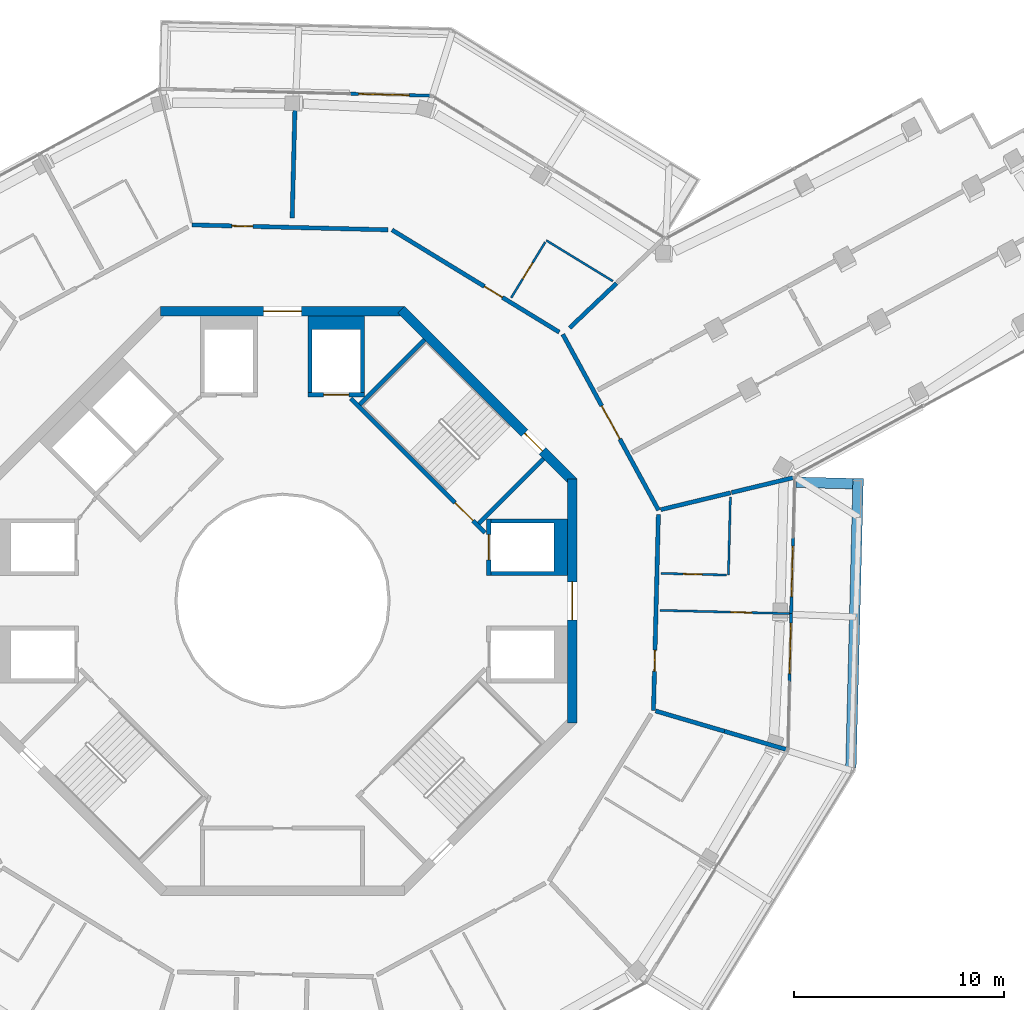
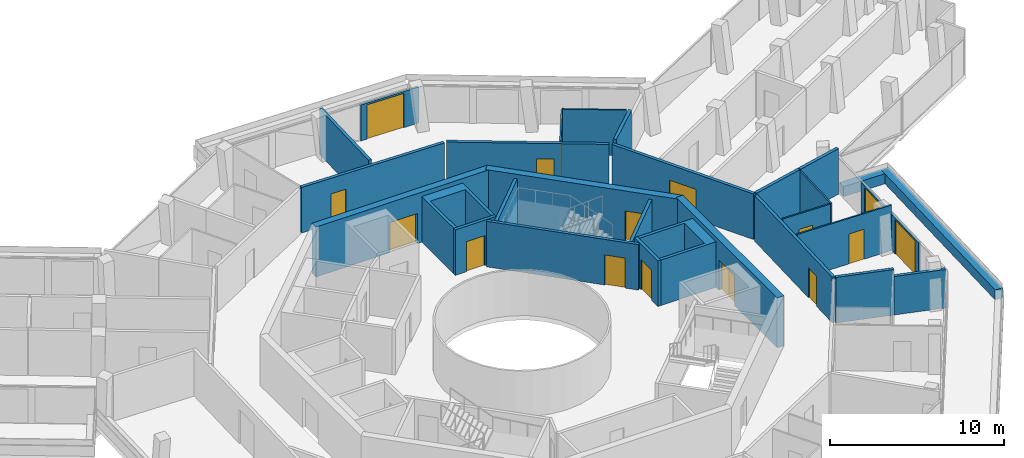
# One storey, part 20 of 24: 30 walls, 16 doors, 16 openings.
"""IFC4 building model written with IfcOpenShell, lengths in metres."""

from ifc_helpers import new_model, si_unit, direction, frame, frame_2d, origin, place, context, subcontext, project, spatial, polyline, rectangle, outline, extrude, material, layer, layer_set, type_object, element, fill, save


model = new_model("IFC4")

# Units and contexts
model_context = context("Model", 3, precision=1e-05, world=origin(), true_north=direction((0.0, 1.0)))
body_context = subcontext(model_context, "Body", "Model", "MODEL_VIEW")
ifc_project = project(units=[si_unit("LENGTHUNIT", "METRE"), si_unit("AREAUNIT", "SQUARE_METRE"), si_unit("VOLUMEUNIT", "CUBIC_METRE"), si_unit("PLANEANGLEUNIT", "RADIAN"), si_unit("MASSUNIT", "GRAM", prefix="KILO")], contexts=[model_context])

# Site, building, storey
site_placement = place(None, origin())
site = spatial("IfcSite", under=ifc_project, at=site_placement, CompositionType="ELEMENT")
building_placement = place(site_placement, origin())
building = spatial("IfcBuilding", under=site, at=building_placement, Name="Verdalira Terraces Hotel", CompositionType="ELEMENT")
storey_placement = place(building_placement, frame((0.0, 0.0, 274.0)))
storey = spatial("IfcBuildingStorey", under=building, at=storey_placement, Name="L67", CompositionType="ELEMENT", Elevation=274.0)

# Walls
ifc_material_1 = material(Name="Concrete C40", Category="concrete")
ifc_layer_1 = layer(ifc_material_1, 0.5)
ifc_layer_set_1 = layer_set([ifc_layer_1], Name="Balcony planter trough with tree")
wall_type_1 = type_object("IfcWallType", Name="Balcony planter trough with tree", PredefinedType="SOLIDWALL", material=ifc_layer_set_1)
wall_1_placement = place(storey_placement, frame((27.018311, -7.905029, 0.0), z_axis=(0.0, 0.0, 1.0), x_axis=(0.025119309, 0.99968446, 0.0)))
element("IfcWall", 1, at=wall_1_placement, inside=storey, type_object=wall_type_1, Name="Balcony planter", PredefinedType="SOLIDWALL", context=body_context, shape_type="SweptSolid", body=[
    extrude(rectangle(XDim=13.723633, YDim=0.5, at=frame_2d((6.861816, 0.0))), origin(), (0.0, 0.0, 1.0), 0.699951),
])
wall_2_placement = place(storey_placement, frame((27.106934, 5.570557, 0.0), z_axis=(0.0, 0.0, 1.0), x_axis=(-0.999683793, 0.025145864, 0.0)))
element("IfcWall", 2, at=wall_2_placement, inside=storey, type_object=wall_type_1, Name="Balcony planter", PredefinedType="SOLIDWALL", context=body_context, shape_type="SweptSolid", body=[
    extrude(rectangle(XDim=2.698975, YDim=0.5, at=frame_2d((1.349609, 0.0))), origin(), (0.0, 0.0, 1.0), 0.699951),
])

# Wall, opening, door
ifc_material_2 = material(Name="Moisture-resistant gypsum board partition")
ifc_layer_2 = layer(ifc_material_2, 0.10009765625)
ifc_layer_set_2 = layer_set([ifc_layer_2], Name="Bathroom partition 100 mm")
wall_type_2 = type_object("IfcWallType", Name="Bathroom partition 100 mm", PredefinedType="PARTITIONING", material=ifc_layer_set_2)
wall_3_placement = place(storey_placement, frame((12.484375, 17.049561, 0.0), z_axis=(0.0, 0.0, 1.0), x_axis=(-0.521669797, -0.85314748, 0.0)))
wall_3 = element("IfcWall", 3, at=wall_3_placement, inside=storey, type_object=wall_type_2, Name="Bathroom partition", PredefinedType="PARTITIONING", context=body_context, shape_type="SweptSolid", body=[
    extrude(rectangle(XDim=3.100098, YDim=0.100098, at=frame_2d((1.550049, 0.0))), origin(), (0.0, 0.0, 1.0), 3.189941),
])
opening_1_placement = place(wall_3_placement, frame((1.149902, 0.0, 0.0)))
opening_1 = element("IfcOpeningElement", 4, at=opening_1_placement, cuts=wall_3, Name="Opening L67-129", PredefinedType="OPENING", context=body_context, shape_type="SweptSolid", body=[
    extrude(rectangle(XDim=0.899902, YDim=2.100098, at=frame_2d((0.449951, 1.050049))), frame((0.0, 0.060059, 0.0), z_axis=(0.0, -1.0, 0.0), x_axis=(1.0, 0.0, 0.0)), (0.0, 0.0, 1.0), 0.120117),
])
ifc_material_3 = material(Name="Timber door", Category="wood")
door_type_1 = type_object("IfcDoorType", Name="Bathroom door 900 x 2100", OperationType="NOTDEFINED", PredefinedType="DOOR", material=ifc_material_3)
door_1_placement = place(opening_1_placement, origin())
door_1 = element("IfcDoor", 5, at=door_1_placement, inside=storey, type_object=door_type_1, Name="Bathroom door 6709", OperationType="SINGLE_SWING_LEFT", OverallHeight=2.10009765625, OverallWidth=0.89990234375, PredefinedType="DOOR", context=body_context, shape_type="SweptSolid", body=[
    extrude(rectangle(XDim=0.899902, YDim=2.100098, at=frame_2d((0.449951, 1.050049))), frame((0.0, 0.024902, 0.0), z_axis=(0.0, -1.0, 0.0), x_axis=(1.0, 0.0, 0.0)), (0.0, 0.0, 1.0), 0.050049),
])
fill(opening_1, door_1)

# Wall
wall_4_placement = place(storey_placement, frame((12.536621, 17.13501, 0.0), z_axis=(0.0, 0.0, 1.0), x_axis=(0.853171022, -0.521631294, 0.0)))
element("IfcWall", 6, at=wall_4_placement, inside=storey, type_object=wall_type_2, Name="Bathroom partition", PredefinedType="PARTITIONING", context=body_context, shape_type="SweptSolid", body=[
    extrude(rectangle(XDim=3.704102, YDim=0.100098, at=frame_2d((1.852051, 0.0))), origin(), (0.0, 0.0, 1.0), 3.189941),
])

# Wall, opening, door
wall_5_placement = place(storey_placement, frame((17.996826, 1.306396, 0.0), z_axis=(0.0, 0.0, 1.0), x_axis=(0.999684391, -0.025122051, 0.0)))
wall_5 = element("IfcWall", 7, at=wall_5_placement, inside=storey, type_object=wall_type_2, Name="Bathroom partition", PredefinedType="PARTITIONING", context=body_context, shape_type="SweptSolid", body=[
    extrude(rectangle(XDim=3.100098, YDim=0.100098, at=frame_2d((1.550049, 0.0))), origin(), (0.0, 0.0, 1.0), 3.189941),
])
opening_2_placement = place(wall_5_placement, frame((1.050049, 0.0, 0.0)))
opening_2 = element("IfcOpeningElement", 8, at=opening_2_placement, cuts=wall_5, Name="Opening L67-123", PredefinedType="OPENING", context=body_context, shape_type="SweptSolid", body=[
    extrude(rectangle(XDim=0.899902, YDim=2.100098, at=frame_2d((0.449951, 1.050049))), frame((0.0, 0.060059, 0.0), z_axis=(0.0, -1.0, 0.0), x_axis=(1.0, 0.0, 0.0)), (0.0, 0.0, 1.0), 0.120117),
])
door_2_placement = place(opening_2_placement, origin())
door_2 = element("IfcDoor", 9, at=door_2_placement, inside=storey, type_object=door_type_1, Name="Bathroom door 6707", OperationType="SINGLE_SWING_RIGHT", OverallHeight=2.10009765625, OverallWidth=0.89990234375, PredefinedType="DOOR", context=body_context, shape_type="SweptSolid", body=[
    extrude(rectangle(XDim=0.899902, YDim=2.100098, at=frame_2d((0.449951, 1.050049))), frame((0.0, 0.024902, 0.0), z_axis=(0.0, -1.0, 0.0), x_axis=(1.0, 0.0, 0.0)), (0.0, 0.0, 1.0), 0.050049),
])
fill(opening_2, door_2)

wall_6_placement = place(storey_placement, frame((17.952637, -0.451416, 0.0), z_axis=(0.0, 0.0, 1.0), x_axis=(0.999685212, -0.025089391, 0.0)))
wall_6 = element("IfcWall", 10, at=wall_6_placement, inside=storey, type_object=wall_type_2, Name="Bathroom partition", PredefinedType="PARTITIONING", context=body_context, shape_type="SweptSolid", body=[
    extrude(rectangle(XDim=6.149902, YDim=0.100098, at=frame_2d((3.074951, 0.0))), origin(), (0.0, 0.0, 1.0), 3.189941),
])
opening_3_placement = place(wall_6_placement, frame((3.350098, 0.0, 0.0)))
opening_3 = element("IfcOpeningElement", 11, at=opening_3_placement, cuts=wall_6, Name="Opening L67-122", PredefinedType="OPENING", context=body_context, shape_type="SweptSolid", body=[
    extrude(rectangle(XDim=1.0, YDim=2.100098, at=frame_2d((0.5, 1.050049))), frame((0.0, 0.060059, 0.0), z_axis=(0.0, -1.0, 0.0), x_axis=(1.0, 0.0, 0.0)), (0.0, 0.0, 1.0), 0.120117),
])
ifc_material_4 = material(Name="Timber door", Category="wood")
door_type_2 = type_object("IfcDoorType", Name="Suite internal door 1000 x 2100", OperationType="NOTDEFINED", PredefinedType="DOOR", material=ifc_material_4)
door_3_placement = place(opening_3_placement, origin())
door_3 = element("IfcDoor", 12, at=door_3_placement, inside=storey, type_object=door_type_2, Name="Suite internal door 6707", OperationType="SINGLE_SWING_LEFT", OverallHeight=2.10009765625, OverallWidth=1.0, PredefinedType="DOOR", context=body_context, shape_type="SweptSolid", body=[
    extrude(rectangle(XDim=1.0, YDim=2.100098, at=frame_2d((0.5, 1.050049))), frame((0.0, 0.024902, 0.0), z_axis=(0.0, -1.0, 0.0), x_axis=(1.0, 0.0, 0.0)), (0.0, 0.0, 1.0), 0.050049),
])
fill(opening_3, door_3)

# Walls
wall_7_placement = place(storey_placement, frame((21.195801, 1.226074, 0.0), z_axis=(0.0, 0.0, 1.0), x_axis=(0.025112405, 0.999684634, 0.0)))
element("IfcWall", 13, at=wall_7_placement, inside=storey, type_object=wall_type_2, Name="Bathroom partition", PredefinedType="PARTITIONING", context=body_context, shape_type="SweptSolid", body=[
    extrude(rectangle(XDim=3.704102, YDim=0.100098, at=frame_2d((1.852051, 0.0))), origin(), (0.0, 0.0, 1.0), 3.189941),
])
ifc_material_5 = material(Name="Concrete C50", Category="concrete")
ifc_layer_3 = layer(ifc_material_5, 0.199951171875)
ifc_layer_set_3 = layer_set([ifc_layer_3], Name="Core RC wall 200 C50")
wall_type_3 = type_object("IfcWallType", Name="Core RC wall 200 C50", PredefinedType="SOLIDWALL", material=ifc_layer_set_3)
wall_8_placement = place(storey_placement, origin())
element("IfcWall", 14, at=wall_8_placement, inside=storey, type_object=wall_type_3, Name="L67 shaft wall E2", PredefinedType="SOLIDWALL", context=body_context, shape_type="SweptSolid", body=[
    extrude(outline(polyline([(13.550049, 3.899902), (13.550049, 1.199951), (9.899902, 1.199951), (9.899902, 1.399902), (12.899902, 1.399902), (12.899902, 3.699951), (9.899902, 3.699951), (9.899902, 3.899902), (13.550049, 3.899902)])), origin(), (0.0, 0.0, 1.0), 3.189941),
])

# Wall, opening, door
wall_9_placement = place(storey_placement, frame((9.800049, 1.199951, 0.0), z_axis=(0.0, 0.0, 1.0), x_axis=(0.0, 1.0, 0.0)))
wall_9 = element("IfcWall", 15, at=wall_9_placement, inside=storey, type_object=wall_type_3, Name="L67 shaft front wall E2", PredefinedType="SOLIDWALL", context=body_context, shape_type="SweptSolid", body=[
    extrude(rectangle(XDim=2.699951, YDim=0.199951, at=frame_2d((1.350098, 0.0))), origin(), (0.0, 0.0, 1.0), 3.189941),
])
opening_4_placement = place(wall_9_placement, frame((0.75, 0.0, 0.0)))
opening_4 = element("IfcOpeningElement", 16, at=opening_4_placement, cuts=wall_9, Name="Opening LD-L67-803", PredefinedType="OPENING", context=body_context, shape_type="SweptSolid", body=[
    extrude(rectangle(XDim=1.199951, YDim=2.100098, at=frame_2d((0.600098, 1.050049))), frame((0.0, 0.109863, 0.0), z_axis=(0.0, -1.0, 0.0), x_axis=(1.0, 0.0, 0.0)), (0.0, 0.0, 1.0), 0.219971),
])
ifc_material_6 = material(Name="Stainless steel", Category="steel")
door_type_3 = type_object("IfcDoorType", Name="Landing door 1200 x 2100", OperationType="NOTDEFINED", PredefinedType="DOOR", material=ifc_material_6)
door_4_placement = place(opening_4_placement, origin())
door_4 = element("IfcDoor", 17, at=door_4_placement, inside=storey, type_object=door_type_3, Name="Lift landing door HR2 L67", OperationType="DOUBLE_DOOR_SLIDING", OverallHeight=2.10009765625, OverallWidth=1.199951171875, PredefinedType="DOOR", context=body_context, shape_type="SweptSolid", body=[
    extrude(rectangle(XDim=1.199951, YDim=2.100098, at=frame_2d((0.600098, 1.050049))), frame((0.0, 0.024902, 0.0), z_axis=(0.0, -1.0, 0.0), x_axis=(1.0, 0.0, 0.0)), (0.0, 0.0, 1.0), 0.050049),
])
fill(opening_4, door_4)

# Wall
wall_10_placement = place(storey_placement, origin())
element("IfcWall", 18, at=wall_10_placement, inside=storey, type_object=wall_type_3, Name="L67 shaft wall N1", PredefinedType="SOLIDWALL", context=body_context, shape_type="SweptSolid", body=[
    extrude(outline(polyline([(3.899902, 9.899902), (3.699951, 9.899902), (3.699951, 12.899902), (1.399902, 12.899902), (1.399902, 9.899902), (1.199951, 9.899902), (1.199951, 13.550049), (3.899902, 13.550049), (3.899902, 9.899902)])), origin(), (0.0, 0.0, 1.0), 3.189941),
])

# Wall, opening, door
wall_11_placement = place(storey_placement, frame((1.199951, 9.800049, 0.0), z_axis=(0.0, 0.0, 1.0), x_axis=(1.0, 0.0, 0.0)))
wall_11 = element("IfcWall", 19, at=wall_11_placement, inside=storey, type_object=wall_type_3, Name="L67 shaft front wall N1", PredefinedType="SOLIDWALL", context=body_context, shape_type="SweptSolid", body=[
    extrude(rectangle(XDim=2.699951, YDim=0.199951, at=frame_2d((1.350098, 0.0))), origin(), (0.0, 0.0, 1.0), 3.189941),
])
opening_5_placement = place(wall_11_placement, frame((0.75, 0.0, 0.0)))
opening_5 = element("IfcOpeningElement", 20, at=opening_5_placement, cuts=wall_11, Name="Opening LD-L67-804", PredefinedType="OPENING", context=body_context, shape_type="SweptSolid", body=[
    extrude(rectangle(XDim=1.199951, YDim=2.100098, at=frame_2d((0.600098, 1.050049))), frame((0.0, 0.109863, 0.0), z_axis=(0.0, -1.0, 0.0), x_axis=(1.0, 0.0, 0.0)), (0.0, 0.0, 1.0), 0.219971),
])
door_5_placement = place(opening_5_placement, origin())
door_5 = element("IfcDoor", 21, at=door_5_placement, inside=storey, type_object=door_type_3, Name="Lift landing door HR3 L67", OperationType="DOUBLE_DOOR_SLIDING", OverallHeight=2.10009765625, OverallWidth=1.199951171875, PredefinedType="DOOR", context=body_context, shape_type="SweptSolid", body=[
    extrude(rectangle(XDim=1.199951, YDim=2.100098, at=frame_2d((0.600098, 1.050049))), frame((0.0, 0.024902, 0.0), z_axis=(0.0, -1.0, 0.0), x_axis=(1.0, 0.0, 0.0)), (0.0, 0.0, 1.0), 0.050049),
])
fill(opening_5, door_5)

wall_12_placement = place(storey_placement, frame((3.23999, 9.629395, 0.0), z_axis=(0.0, 0.0, 1.0), x_axis=(0.707106781, -0.707106781, 0.0)))
wall_12 = element("IfcWall", 22, at=wall_12_placement, inside=storey, type_object=wall_type_3, Name="L67 stair ST1 front wall", PredefinedType="SOLIDWALL", context=body_context, shape_type="SweptSolid", body=[
    extrude(rectangle(XDim=9.035889, YDim=0.199951, at=frame_2d((4.518066, 0.0))), origin(), (0.0, 0.0, 1.0), 3.189941),
])
opening_6_placement = place(wall_12_placement, frame((7.017822, 0.0, 0.0)))
opening_6 = element("IfcOpeningElement", 23, at=opening_6_placement, cuts=wall_12, Name="Opening L67-810", PredefinedType="OPENING", context=body_context, shape_type="SweptSolid", body=[
    extrude(rectangle(XDim=1.199951, YDim=2.100098, at=frame_2d((0.600098, 1.050049))), frame((0.0, 0.109863, 0.0), z_axis=(0.0, -1.0, 0.0), x_axis=(1.0, 0.0, 0.0)), (0.0, 0.0, 1.0), 0.219971),
])
ifc_material_7 = material(Name="Steel fire door", Category="steel")
door_type_4 = type_object("IfcDoorType", Name="Stair door 1200 x 2100", OperationType="NOTDEFINED", PredefinedType="DOOR", material=ifc_material_7)
door_6_placement = place(opening_6_placement, origin())
door_6 = element("IfcDoor", 24, at=door_6_placement, inside=storey, type_object=door_type_4, Name="Stair door ST1 L67", OperationType="SINGLE_SWING_RIGHT", OverallHeight=2.10009765625, OverallWidth=1.199951171875, PredefinedType="DOOR", context=body_context, shape_type="SweptSolid", body=[
    extrude(rectangle(XDim=1.199951, YDim=2.100098, at=frame_2d((0.600098, 1.050049))), frame((0.0, 0.024902, 0.0), z_axis=(0.0, -1.0, 0.0), x_axis=(1.0, 0.0, 0.0)), (0.0, 0.0, 1.0), 0.050049),
])
fill(opening_6, door_6)

# Walls
for number, where, z_axis, x_axis, name in (
    (25, (9.33374, 3.677002, 0.0), (0.0, 0.0, 1.0), (0.707106781, 0.707106781, 0.0), "L67 stair ST1 end wall 1"),
    (26, (3.677002, 9.33374, 0.0), (0.0, 0.0, 1.0), (0.707106781, 0.707106781, 0.0), "L67 stair ST1 end wall 2"),
):
    element("IfcWall", number, at=place(storey_placement, frame(where, z_axis=z_axis, x_axis=x_axis)), inside=storey, type_object=wall_type_3, Name=name, PredefinedType="SOLIDWALL", context=body_context, shape_type="SweptSolid", body=[
        extrude(rectangle(XDim=4.350098, YDim=0.199951, at=frame_2d((2.175049, 0.0))), origin(), (0.0, 0.0, 1.0), 3.189941),
    ])

# Wall, opening, door
ifc_material_8 = material(Name="Concrete C50", Category="concrete")
ifc_layer_4 = layer(ifc_material_8, 0.449951171875)
ifc_layer_set_4 = layer_set([ifc_layer_4], Name="Core wall 450 C50")
wall_type_4 = type_object("IfcWallType", Name="Core wall 450 C50", PredefinedType="SHEAR", material=ifc_layer_set_4)
wall_13_placement = place(storey_placement, frame((13.774902, -5.799072, 0.0), z_axis=(0.0, 0.0, 1.0), x_axis=(0.0, 1.0, 0.0)))
wall_13 = element("IfcWall", 27, at=wall_13_placement, inside=storey, type_object=wall_type_4, Name="Core wall CW-L67-1", PredefinedType="SHEAR", context=body_context, shape_type="SweptSolid", body=[
    extrude(rectangle(XDim=11.598145, YDim=0.449951, at=frame_2d((5.799072, 0.0))), origin(), (0.0, 0.0, 1.0), 3.5),
])
opening_7_placement = place(wall_13_placement, frame((4.898926, 0.0, 0.0)))
opening_7 = element("IfcOpeningElement", 28, at=opening_7_placement, cuts=wall_13, Name="Opening L67-813", PredefinedType="OPENING", context=body_context, shape_type="SweptSolid", body=[
    extrude(rectangle(XDim=1.800049, YDim=2.100098, at=frame_2d((0.899902, 1.050049))), frame((0.0, 0.234863, 0.0), z_axis=(0.0, -1.0, 0.0), x_axis=(1.0, 0.0, 0.0)), (0.0, 0.0, 1.0), 0.469971),
])
ifc_material_9 = material(Name="Steel fire door", Category="steel")
door_type_5 = type_object("IfcDoorType", Name="Core entry door pair 1800 x 2100", OperationType="NOTDEFINED", PredefinedType="DOOR", material=ifc_material_9)
door_7_placement = place(opening_7_placement, origin())
door_7 = element("IfcDoor", 29, at=door_7_placement, inside=storey, type_object=door_type_5, Name="Core entry door L67 0", OperationType="DOUBLE_DOOR_SINGLE_SWING", OverallHeight=2.10009765625, OverallWidth=1.800048828125, PredefinedType="DOOR", context=body_context, shape_type="SweptSolid", body=[
    extrude(rectangle(XDim=1.800049, YDim=2.100098, at=frame_2d((0.899902, 1.050049))), frame((0.0, 0.024902, 0.0), z_axis=(0.0, -1.0, 0.0), x_axis=(1.0, 0.0, 0.0)), (0.0, 0.0, 1.0), 0.050049),
])
fill(opening_7, door_7)

wall_14_placement = place(storey_placement, frame((13.84082, 5.639893, 0.0), z_axis=(0.0, 0.0, 1.0), x_axis=(-0.707106781, 0.707106781, 0.0)))
wall_14 = element("IfcWall", 30, at=wall_14_placement, inside=storey, type_object=wall_type_4, Name="Core wall CW-L67-2", PredefinedType="SHEAR", context=body_context, shape_type="SweptSolid", body=[
    extrude(rectangle(XDim=11.5979, YDim=0.449951, at=frame_2d((5.798828, 0.0))), origin(), (0.0, 0.0, 1.0), 3.5),
])
opening_8_placement = place(wall_14_placement, frame((2.099121, 0.0, 0.0)))
opening_8 = element("IfcOpeningElement", 31, at=opening_8_placement, cuts=wall_14, Name="Opening L67-816", PredefinedType="OPENING", context=body_context, shape_type="SweptSolid", body=[
    extrude(rectangle(XDim=1.199951, YDim=2.100098, at=frame_2d((0.600098, 1.050049))), frame((0.0, 0.234863, 0.0), z_axis=(0.0, -1.0, 0.0), x_axis=(1.0, 0.0, 0.0)), (0.0, 0.0, 1.0), 0.469971),
])
door_8_placement = place(opening_8_placement, origin())
door_8 = element("IfcDoor", 32, at=door_8_placement, inside=storey, type_object=door_type_4, Name="Stair exit door ST1 L67", OperationType="SINGLE_SWING_LEFT", OverallHeight=2.10009765625, OverallWidth=1.199951171875, PredefinedType="DOOR", context=body_context, shape_type="SweptSolid", body=[
    extrude(rectangle(XDim=1.199951, YDim=2.100098, at=frame_2d((0.600098, 1.050049))), frame((0.0, 0.024902, 0.0), z_axis=(0.0, -1.0, 0.0), x_axis=(1.0, 0.0, 0.0)), (0.0, 0.0, 1.0), 0.050049),
])
fill(opening_8, door_8)

wall_15_placement = place(storey_placement, frame((5.799072, 13.774902, 0.0), z_axis=(0.0, 0.0, 1.0), x_axis=(-1.0, 0.0, 0.0)))
wall_15 = element("IfcWall", 33, at=wall_15_placement, inside=storey, type_object=wall_type_4, Name="Core wall CW-L67-3", PredefinedType="SHEAR", context=body_context, shape_type="SweptSolid", body=[
    extrude(rectangle(XDim=11.598145, YDim=0.449951, at=frame_2d((5.799072, 0.0))), origin(), (0.0, 0.0, 1.0), 3.5),
])
opening_9_placement = place(wall_15_placement, frame((4.898926, 0.0, 0.0)))
opening_9 = element("IfcOpeningElement", 34, at=opening_9_placement, cuts=wall_15, Name="Opening L67-814", PredefinedType="OPENING", context=body_context, shape_type="SweptSolid", body=[
    extrude(rectangle(XDim=1.800049, YDim=2.100098, at=frame_2d((0.899902, 1.050049))), frame((0.0, 0.234863, 0.0), z_axis=(0.0, -1.0, 0.0), x_axis=(1.0, 0.0, 0.0)), (0.0, 0.0, 1.0), 0.469971),
])
door_9_placement = place(opening_9_placement, origin())
door_9 = element("IfcDoor", 35, at=door_9_placement, inside=storey, type_object=door_type_5, Name="Core entry door L67 2", OperationType="DOUBLE_DOOR_SINGLE_SWING", OverallHeight=2.10009765625, OverallWidth=1.800048828125, PredefinedType="DOOR", context=body_context, shape_type="SweptSolid", body=[
    extrude(rectangle(XDim=1.800049, YDim=2.100098, at=frame_2d((0.899902, 1.050049))), frame((0.0, 0.024902, 0.0), z_axis=(0.0, -1.0, 0.0), x_axis=(1.0, 0.0, 0.0)), (0.0, 0.0, 1.0), 0.050049),
])
fill(opening_9, door_9)

# Walls
ifc_material_10 = material(Name="Fire-rated gypsum board wall")
ifc_layer_5 = layer(ifc_material_10, 0.199951171875)
ifc_layer_set_5 = layer_set([ifc_layer_5], Name="Demising wall 200 mm")
wall_type_5 = type_object("IfcWallType", Name="Demising wall 200 mm", PredefinedType="SOLIDWALL", material=ifc_layer_set_5)
wall_16_placement = place(storey_placement, frame((0.45752, 18.199707, 0.0), z_axis=(0.0, 0.0, 1.0), x_axis=(0.025105862, 0.999684798, 0.0)))
element("IfcWall", 36, at=wall_16_placement, inside=storey, type_object=wall_type_5, Name="Demising wall", PredefinedType="SOLIDWALL", context=body_context, shape_type="SweptSolid", body=[
    extrude(rectangle(XDim=5.902832, YDim=0.199951, at=frame_2d((2.951416, 0.0))), origin(), (0.0, 0.0, 1.0), 3.189941),
])
wall_17_placement = place(storey_placement, frame((13.646729, 12.977295, 0.0), z_axis=(0.0, 0.0, 1.0), x_axis=(0.724630592, 0.689137509, 0.0)))
element("IfcWall", 37, at=wall_17_placement, inside=storey, type_object=wall_type_5, Name="Demising wall", PredefinedType="SOLIDWALL", context=body_context, shape_type="SweptSolid", body=[
    extrude(rectangle(XDim=3.074707, YDim=0.199951, at=frame_2d((1.537354, 0.0))), origin(), (0.0, 0.0, 1.0), 3.189941),
])
wall_18_placement = place(storey_placement, frame((17.732422, -5.232422, 0.0), z_axis=(0.0, 0.0, 1.0), x_axis=(0.959126201, -0.282978674, 0.0)))
element("IfcWall", 38, at=wall_18_placement, inside=storey, type_object=wall_type_5, Name="Demising wall", PredefinedType="SOLIDWALL", context=body_context, shape_type="SweptSolid", body=[
    extrude(rectangle(XDim=3.416504, YDim=0.199951, at=frame_2d((1.708252, 0.0))), origin(), (0.0, 0.0, 1.0), 3.189941),
])
wall_19_placement = place(storey_placement, frame((21.296143, 5.13623, 0.0), z_axis=(0.0, 0.0, 1.0), x_axis=(-0.972125443, -0.234461345, 0.0)))
element("IfcWall", 39, at=wall_19_placement, inside=storey, type_object=wall_type_5, Name="Demising wall", PredefinedType="SOLIDWALL", context=body_context, shape_type="SweptSolid", body=[
    extrude(rectangle(XDim=3.418457, YDim=0.199951, at=frame_2d((1.709229, 0.0))), origin(), (0.0, 0.0, 1.0), 3.189941),
])
wall_20_placement = place(storey_placement, frame((24.268311, 5.853271, 0.0), z_axis=(0.0, 0.0, 1.0), x_axis=(-0.972126189, -0.234458255, 0.0)))
element("IfcWall", 40, at=wall_20_placement, inside=storey, type_object=wall_type_5, Name="Demising wall", PredefinedType="SOLIDWALL", context=body_context, shape_type="SweptSolid", body=[
    extrude(rectangle(XDim=3.011475, YDim=0.199951, at=frame_2d((1.505859, 0.0))), origin(), (0.0, 0.0, 1.0), 3.189941),
])
ifc_material_11 = material(Name="Fire-rated gypsum board wall")
ifc_layer_6 = layer(ifc_material_11, 0.199951171875)
ifc_layer_set_6 = layer_set([ifc_layer_6], Name="Demising wall 200 mm to beam soffit")
wall_type_6 = type_object("IfcWallType", Name="Demising wall 200 mm to beam soffit", PredefinedType="SOLIDWALL", material=ifc_layer_set_6)
wall_21_placement = place(storey_placement, frame((21.009277, -6.199219, 0.0), z_axis=(0.0, 0.0, 1.0), x_axis=(0.959105877, -0.283047553, 0.0)))
element("IfcWall", 41, at=wall_21_placement, inside=storey, type_object=wall_type_6, Name="Demising wall", PredefinedType="SOLIDWALL", context=body_context, shape_type="SweptSolid", body=[
    extrude(rectangle(XDim=3.059326, YDim=0.199951, at=frame_2d((1.529785, 0.0))), origin(), (0.0, 0.0, 1.0), 2.689941),
])

# Wall, opening, door
ifc_material_12 = material(Name="Fire-rated gypsum board wall")
ifc_layer_7 = layer(ifc_material_12, 0.199951171875)
ifc_layer_set_7 = layer_set([ifc_layer_7], Name="Guest corridor wall 200 mm")
wall_type_7 = type_object("IfcWallType", Name="Guest corridor wall 200 mm", PredefinedType="SOLIDWALL", material=ifc_layer_set_7)
wall_22_placement = place(storey_placement, frame((-4.310547, 17.872314, 0.0), z_axis=(0.0, 0.0, 1.0), x_axis=(0.99968415, -0.025131651, 0.0)))
wall_22 = element("IfcWall", 42, at=wall_22_placement, inside=storey, type_object=wall_type_7, Name="Guest corridor wall", PredefinedType="SOLIDWALL", context=body_context, shape_type="SweptSolid", body=[
    extrude(rectangle(XDim=9.316162, YDim=0.199951, at=frame_2d((4.658203, 0.0))), origin(), (0.0, 0.0, 1.0), 3.189941),
])
opening_10_placement = place(wall_22_placement, frame((1.899902, 0.0, 0.0)))
opening_10 = element("IfcOpeningElement", 43, at=opening_10_placement, cuts=wall_22, Name="Opening L67-130", PredefinedType="OPENING", context=body_context, shape_type="SweptSolid", body=[
    extrude(rectangle(XDim=1.0, YDim=2.100098, at=frame_2d((0.5, 1.050049))), frame((0.0, 0.109863, 0.0), z_axis=(0.0, -1.0, 0.0), x_axis=(1.0, 0.0, 0.0)), (0.0, 0.0, 1.0), 0.219971),
])
ifc_material_13 = material(Name="Timber fire door", Category="wood")
door_type_6 = type_object("IfcDoorType", Name="Guest entry door 1000 x 2100", OperationType="NOTDEFINED", PredefinedType="DOOR", material=ifc_material_13)
door_10_placement = place(opening_10_placement, origin())
door_10 = element("IfcDoor", 44, at=door_10_placement, inside=storey, type_object=door_type_6, Name="Guest entry door 6710", OperationType="SINGLE_SWING_LEFT", OverallHeight=2.10009765625, OverallWidth=1.0, PredefinedType="DOOR", context=body_context, shape_type="SweptSolid", body=[
    extrude(rectangle(XDim=1.0, YDim=2.100098, at=frame_2d((0.5, 1.050049))), frame((0.0, 0.024902, 0.0), z_axis=(0.0, -1.0, 0.0), x_axis=(1.0, 0.0, 0.0)), (0.0, 0.0, 1.0), 0.050049),
])
fill(opening_10, door_10)

wall_23_placement = place(storey_placement, frame((5.203613, 17.632812, 0.0), z_axis=(0.0, 0.0, 1.0), x_axis=(0.853192423, -0.521596289, 0.0)))
wall_23 = element("IfcWall", 45, at=wall_23_placement, inside=storey, type_object=wall_type_7, Name="Guest corridor wall", PredefinedType="SOLIDWALL", context=body_context, shape_type="SweptSolid", body=[
    extrude(rectangle(XDim=9.315918, YDim=0.199951, at=frame_2d((4.657959, 0.0))), origin(), (0.0, 0.0, 1.0), 3.189941),
])
opening_11_placement = place(wall_23_placement, frame((5.149902, 0.0, 0.0)))
opening_11 = element("IfcOpeningElement", 46, at=opening_11_placement, cuts=wall_23, Name="Opening L67-128", PredefinedType="OPENING", context=body_context, shape_type="SweptSolid", body=[
    extrude(rectangle(XDim=1.0, YDim=2.100098, at=frame_2d((0.5, 1.050049))), frame((0.0, 0.109863, 0.0), z_axis=(0.0, -1.0, 0.0), x_axis=(1.0, 0.0, 0.0)), (0.0, 0.0, 1.0), 0.219971),
])
door_11_placement = place(opening_11_placement, origin())
door_11 = element("IfcDoor", 47, at=door_11_placement, inside=storey, type_object=door_type_6, Name="Guest entry door 6709", OperationType="SINGLE_SWING_LEFT", OverallHeight=2.10009765625, OverallWidth=1.0, PredefinedType="DOOR", context=body_context, shape_type="SweptSolid", body=[
    extrude(rectangle(XDim=1.0, YDim=2.100098, at=frame_2d((0.5, 1.050049))), frame((0.0, 0.024902, 0.0), z_axis=(0.0, -1.0, 0.0), x_axis=(1.0, 0.0, 0.0)), (0.0, 0.0, 1.0), 0.050049),
])
fill(opening_11, door_11)

wall_24_placement = place(storey_placement, frame((13.32251, 12.669189, 0.0), z_axis=(0.0, 0.0, 1.0), x_axis=(0.478086253, -0.878312891, 0.0)))
wall_24 = element("IfcWall", 48, at=wall_24_placement, inside=storey, type_object=wall_type_7, Name="Guest corridor wall", PredefinedType="SOLIDWALL", context=body_context, shape_type="SweptSolid", body=[
    extrude(rectangle(XDim=9.516602, YDim=0.199951, at=frame_2d((4.758301, 0.0))), origin(), (0.0, 0.0, 1.0), 3.189941),
])
opening_12_placement = place(wall_24_placement, frame((3.868652, 0.0, 0.0)))
opening_12 = element("IfcOpeningElement", 49, at=opening_12_placement, cuts=wall_24, Name="Opening L67-124", PredefinedType="OPENING", context=body_context, shape_type="SweptSolid", body=[
    extrude(rectangle(XDim=1.800049, YDim=2.100098, at=frame_2d((0.899902, 1.050049))), frame((0.0, 0.109863, 0.0), z_axis=(0.0, -1.0, 0.0), x_axis=(1.0, 0.0, 0.0)), (0.0, 0.0, 1.0), 0.219971),
])
ifc_material_14 = material(Name="Timber fire door", Category="wood")
door_type_7 = type_object("IfcDoorType", Name="Public room double door 1800 x 2100", OperationType="NOTDEFINED", PredefinedType="DOOR", material=ifc_material_14)
door_12_placement = place(opening_12_placement, origin())
door_12 = element("IfcDoor", 50, at=door_12_placement, inside=storey, type_object=door_type_7, Name="Public room double door 6708", OperationType="DOUBLE_DOOR_SINGLE_SWING", OverallHeight=2.10009765625, OverallWidth=1.800048828125, PredefinedType="DOOR", context=body_context, shape_type="SweptSolid", body=[
    extrude(rectangle(XDim=1.800049, YDim=2.100098, at=frame_2d((0.899902, 1.050049))), frame((0.0, 0.024902, 0.0), z_axis=(0.0, -1.0, 0.0), x_axis=(1.0, 0.0, 0.0)), (0.0, 0.0, 1.0), 0.050049),
])
fill(opening_12, door_12)

wall_25_placement = place(storey_placement, frame((17.867188, 4.110596, 0.0), z_axis=(0.0, 0.0, 1.0), x_axis=(-0.025130335, -0.999684183, 0.0)))
wall_25 = element("IfcWall", 51, at=wall_25_placement, inside=storey, type_object=wall_type_7, Name="Guest corridor wall", PredefinedType="SOLIDWALL", context=body_context, shape_type="SweptSolid", body=[
    extrude(rectangle(XDim=9.31665, YDim=0.199951, at=frame_2d((4.658203, 0.0))), origin(), (0.0, 0.0, 1.0), 3.189941),
])
opening_13_placement = place(wall_25_placement, frame((6.458252, 0.0, 0.0)))
opening_13 = element("IfcOpeningElement", 52, at=opening_13_placement, cuts=wall_25, Name="Opening L67-121", PredefinedType="OPENING", context=body_context, shape_type="SweptSolid", body=[
    extrude(rectangle(XDim=1.0, YDim=2.100098, at=frame_2d((0.5, 1.050049))), frame((0.0, 0.109863, 0.0), z_axis=(0.0, -1.0, 0.0), x_axis=(1.0, 0.0, 0.0)), (0.0, 0.0, 1.0), 0.219971),
])
door_13_placement = place(opening_13_placement, origin())
door_13 = element("IfcDoor", 53, at=door_13_placement, inside=storey, type_object=door_type_6, Name="Guest entry door 6707", OperationType="SINGLE_SWING_LEFT", OverallHeight=2.10009765625, OverallWidth=1.0, PredefinedType="DOOR", context=body_context, shape_type="SweptSolid", body=[
    extrude(rectangle(XDim=1.0, YDim=2.100098, at=frame_2d((0.5, 1.050049))), frame((0.0, 0.024902, 0.0), z_axis=(0.0, -1.0, 0.0), x_axis=(1.0, 0.0, 0.0)), (0.0, 0.0, 1.0), 0.050049),
])
fill(opening_13, door_13)

ifc_material_15 = material(Name="Terracotta cladding", Category="masonry")
ifc_layer_8 = layer(ifc_material_15, 0.14990234375)
ifc_layer_set_8 = layer_set([ifc_layer_8], Name="Terracotta door pier 150")
wall_type_8 = type_object("IfcWallType", Name="Terracotta door pier 150", PredefinedType="SOLIDWALL", material=ifc_layer_set_8)
wall_26_placement = place(storey_placement, frame((24.093994, -3.856689, 0.0), z_axis=(0.0, 0.0, 1.0), x_axis=(0.025164857, 0.999683315, 0.0)))
wall_26 = element("IfcWall", 54, at=wall_26_placement, inside=storey, type_object=wall_type_8, Name="Terracotta door pier", PredefinedType="SOLIDWALL", context=body_context, shape_type="SweptSolid", body=[
    extrude(rectangle(XDim=3.25, YDim=0.149902, at=frame_2d((1.625, 0.0))), origin(), (0.0, 0.0, 1.0), 2.524902),
])
opening_14_placement = place(wall_26_placement, frame((0.399902, 0.0, 0.0)))
opening_14 = element("IfcOpeningElement", 55, at=opening_14_placement, cuts=wall_26, Name="Opening L67-B11", PredefinedType="OPENING", context=body_context, shape_type="SweptSolid", body=[
    extrude(rectangle(XDim=2.399902, YDim=2.399902, at=frame_2d((1.199951, 1.199951))), frame((0.0, 0.084961, 0.0), z_axis=(0.0, -1.0, 0.0), x_axis=(1.0, 0.0, 0.0)), (0.0, 0.0, 1.0), 0.169922),
])
ifc_material_16 = material(Name="Clear glass", Category="glass")
door_type_8 = type_object("IfcDoorType", Name="Balcony sliding door 2400x2400", OperationType="NOTDEFINED", PredefinedType="DOOR", material=ifc_material_16)
door_14_placement = place(opening_14_placement, origin())
door_14 = element("IfcDoor", 56, at=door_14_placement, inside=storey, type_object=door_type_8, Name="Balcony sliding door", OperationType="SLIDING_TO_RIGHT", OverallHeight=2.39990234375, OverallWidth=2.39990234375, PredefinedType="DOOR", context=body_context, shape_type="SweptSolid", body=[
    extrude(rectangle(XDim=2.399902, YDim=2.399902, at=frame_2d((1.199951, 1.199951))), frame((0.0, 0.024902, 0.0), z_axis=(0.0, -1.0, 0.0), x_axis=(1.0, 0.0, 0.0)), (0.0, 0.0, 1.0), 0.050049),
])
fill(opening_14, door_14)

wall_27_placement = place(storey_placement, frame((24.175781, -0.607666, 0.0), z_axis=(0.0, 0.0, 1.0), x_axis=(0.025081713, 0.999685404, 0.0)))
wall_27 = element("IfcWall", 57, at=wall_27_placement, inside=storey, type_object=wall_type_8, Name="Terracotta door pier", PredefinedType="SOLIDWALL", context=body_context, shape_type="SweptSolid", body=[
    extrude(rectangle(XDim=3.611328, YDim=0.149902, at=frame_2d((1.805664, 0.0))), origin(), (0.0, 0.0, 1.0), 2.524902),
])
opening_15_placement = place(wall_27_placement, frame((0.811279, 0.0, 0.0)))
opening_15 = element("IfcOpeningElement", 58, at=opening_15_placement, cuts=wall_27, Name="Opening L67-B12", PredefinedType="OPENING", context=body_context, shape_type="SweptSolid", body=[
    extrude(rectangle(XDim=2.399902, YDim=2.399902, at=frame_2d((1.199951, 1.199951))), frame((0.0, 0.084961, 0.0), z_axis=(0.0, -1.0, 0.0), x_axis=(1.0, 0.0, 0.0)), (0.0, 0.0, 1.0), 0.169922),
])
door_15_placement = place(opening_15_placement, origin())
door_15 = element("IfcDoor", 59, at=door_15_placement, inside=storey, type_object=door_type_8, Name="Balcony sliding door", OperationType="SLIDING_TO_LEFT", OverallHeight=2.39990234375, OverallWidth=2.39990234375, PredefinedType="DOOR", context=body_context, shape_type="SweptSolid", body=[
    extrude(rectangle(XDim=2.399902, YDim=2.399902, at=frame_2d((1.199951, 1.199951))), frame((0.0, 0.024902, 0.0), z_axis=(0.0, -1.0, 0.0), x_axis=(1.0, 0.0, 0.0)), (0.0, 0.0, 1.0), 0.050049),
])
fill(opening_15, door_15)

wall_28_placement = place(storey_placement, frame((7.005615, 24.014893, 0.0), z_axis=(0.0, 0.0, 1.0), x_axis=(-0.99968385, 0.025143603, 0.0)))
wall_28 = element("IfcWall", 60, at=wall_28_placement, inside=storey, type_object=wall_type_8, Name="Terracotta door pier", PredefinedType="SOLIDWALL", context=body_context, shape_type="SweptSolid", body=[
    extrude(rectangle(XDim=3.786865, YDim=0.149902, at=frame_2d((1.893555, 0.0))), origin(), (0.0, 0.0, 1.0), 2.524902),
])
opening_16_placement = place(wall_28_placement, frame((0.986572, 0.0, 0.0)))
opening_16 = element("IfcOpeningElement", 61, at=opening_16_placement, cuts=wall_28, Name="Opening L67-B15", PredefinedType="OPENING", context=body_context, shape_type="SweptSolid", body=[
    extrude(rectangle(XDim=2.399902, YDim=2.399902, at=frame_2d((1.199951, 1.199951))), frame((0.0, 0.084961, 0.0), z_axis=(0.0, -1.0, 0.0), x_axis=(1.0, 0.0, 0.0)), (0.0, 0.0, 1.0), 0.169922),
])
door_16_placement = place(opening_16_placement, origin())
door_16 = element("IfcDoor", 62, at=door_16_placement, inside=storey, type_object=door_type_8, Name="Balcony sliding door", OperationType="SLIDING_TO_LEFT", OverallHeight=2.39990234375, OverallWidth=2.39990234375, PredefinedType="DOOR", context=body_context, shape_type="SweptSolid", body=[
    extrude(rectangle(XDim=2.399902, YDim=2.399902, at=frame_2d((1.199951, 1.199951))), frame((0.0, 0.024902, 0.0), z_axis=(0.0, -1.0, 0.0), x_axis=(1.0, 0.0, 0.0)), (0.0, 0.0, 1.0), 0.050049),
])
fill(opening_16, door_16)

save(model, "model.ifc")
